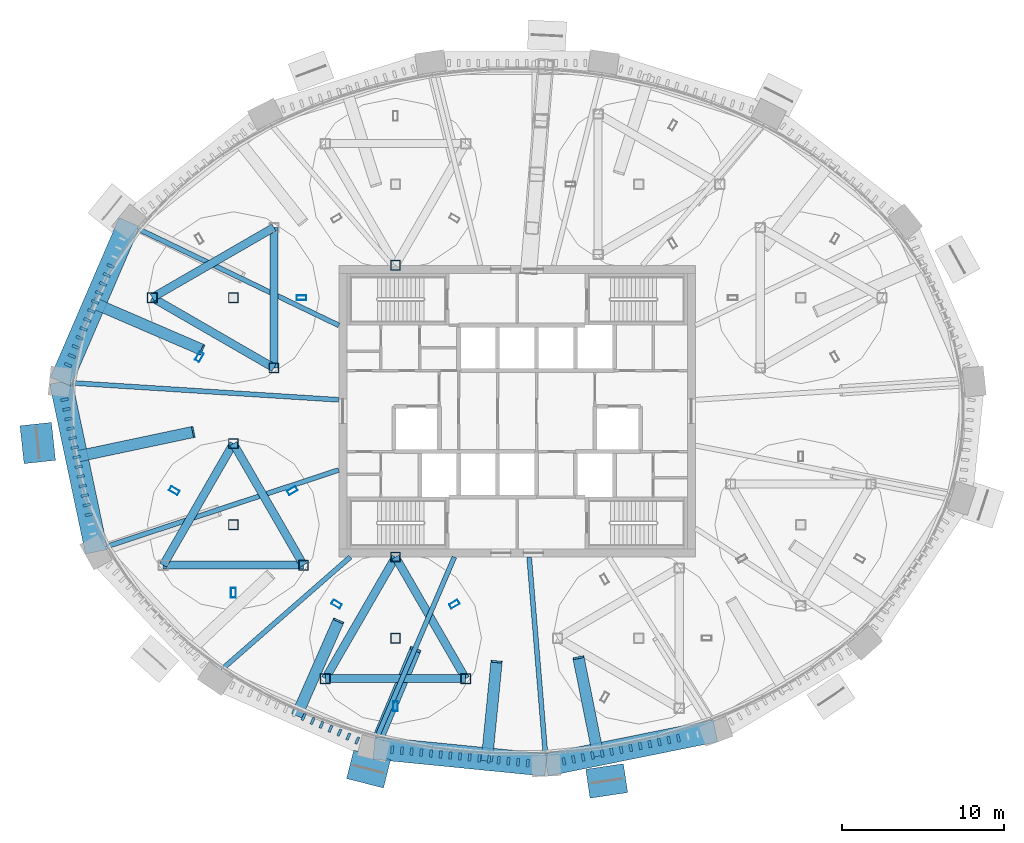
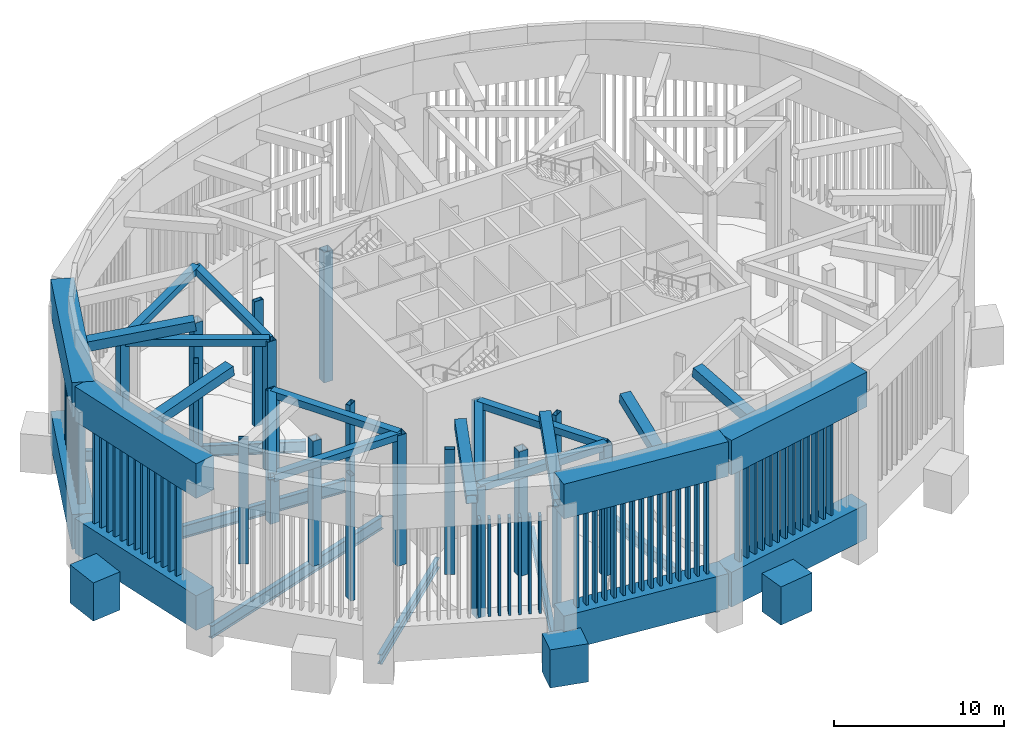
# One storey, part 2 of 14: 88 members, 23 beams.
"""IFC4 building model written with IfcOpenShell, lengths in metres."""

import ifcopenshell
import ifcopenshell.guid

model = None  # the IFC model being written
_history = None  # IfcOwnerHistory: only IFC2X3 demands one
_inside = {}  # id of a spatial element -> (the spatial element, [elements in it])
_under = {}  # id of a project, library or spatial element -> (it, [spatial elements below it])
_declared = {}  # id of a project -> (the project, [libraries it declares])
_typed = {}  # id of a type object -> (the type object, [elements of that type])
_made_of = {}  # id of a material, layer set ... -> (it, [elements and type objects made of it])


def new_model(schema):
    """Start an empty IFC model of exactly this schema.

    Asked for "IFC4X3", IfcOpenShell would pick the latest addendum, in which some entities
    have other attributes; the version numbers below select the first issue.
    IFC2X3 requires an IfcOwnerHistory on every rooted entity: one is made here for all.
    """
    global model, _history
    if schema == "IFC4X3":
        model = ifcopenshell.file(schema_version=(4, 3, 0, 0))
    else:
        model = ifcopenshell.file(schema=schema)
    _inside.clear()
    _under.clear()
    _declared.clear()
    _typed.clear()
    _made_of.clear()
    _history = None
    if model.schema == "IFC2X3":
        org = make("IfcOrganization", Name="unknown")
        user = make(
            "IfcPersonAndOrganization",
            ThePerson=make("IfcPerson", FamilyName="unknown"),
            TheOrganization=org,
        )
        app = make(
            "IfcApplication",
            ApplicationDeveloper=org,
            Version="unknown",
            ApplicationFullName="unknown",
            ApplicationIdentifier="unknown",
        )
        _history = make(
            "IfcOwnerHistory",
            OwningUser=user,
            OwningApplication=app,
            ChangeAction="ADDED",
            CreationDate=0,
        )
    return model


def make(cls, **values):
    """One entity of the class cls with the attributes given. An attribute that is None is left unset."""
    return model.create_entity(
        cls, **{name: value for name, value in values.items() if value is not None}
    )


def rooted(cls, **values):
    """An entity with a GlobalId (a new one), such as an element, a storey or a relation."""
    return make(cls, GlobalId=ifcopenshell.guid.new(), OwnerHistory=_history, **values)


def si_unit(unit_type, name, prefix=None):
    """IfcSIUnit, for example si_unit("LENGTHUNIT", "METRE", prefix="MILLI")."""
    return make("IfcSIUnit", UnitType=unit_type, Prefix=prefix, Name=name)


def assignment(units):
    """IfcUnitAssignment: the units of a project."""
    return None if units is None else make("IfcUnitAssignment", Units=units)


def point(xyz):
    """IfcCartesianPoint."""
    return None if xyz is None else make("IfcCartesianPoint", Coordinates=xyz)


def direction(xyz):
    """IfcDirection."""
    return None if xyz is None else make("IfcDirection", DirectionRatios=xyz)


def frame(location, z_axis=None, x_axis=None):
    """IfcAxis2Placement3D, a coordinate frame: its origin and axes. An axis left out is left unset."""
    return make(
        "IfcAxis2Placement3D",
        Location=point(location),
        Axis=direction(z_axis),
        RefDirection=direction(x_axis),
    )


def frame_2d(location, x_axis=None):
    """IfcAxis2Placement2D, a coordinate frame in the plane: its origin and x axis."""
    return make(
        "IfcAxis2Placement2D", Location=point(location), RefDirection=direction(x_axis)
    )


def origin():
    """The frame at (0, 0, 0) with its axes left unset."""
    return frame((0.0, 0.0, 0.0))


def origin_2d():
    """The frame at (0, 0) in the plane with its x axis left unset."""
    return frame_2d((0.0, 0.0))


def place(relative_to, where):
    """IfcLocalPlacement: puts the frame where relative to a parent placement (None: the world)."""
    return make(
        "IfcLocalPlacement", PlacementRelTo=relative_to, RelativePlacement=where
    )


def context(
    kind, dimensions, precision=None, world=None, true_north=None, identifier=None
):
    """IfcGeometricRepresentationContext, for example the 3D "Model" context."""
    return make(
        "IfcGeometricRepresentationContext",
        ContextIdentifier=identifier,
        ContextType=kind,
        CoordinateSpaceDimension=dimensions,
        Precision=precision,
        WorldCoordinateSystem=world,
        TrueNorth=true_north,
    )


def subcontext(parent, identifier, kind, view, scale=None):
    """IfcGeometricRepresentationSubContext, for example "Body" below "Model"."""
    return make(
        "IfcGeometricRepresentationSubContext",
        ContextIdentifier=identifier,
        ContextType=kind,
        ParentContext=parent,
        TargetScale=scale,
        TargetView=view,
    )


def project(units=None, contexts=None):
    """IfcProject with its units and contexts."""
    return rooted(
        "IfcProject",
        Name="project",
        RepresentationContexts=contexts,
        UnitsInContext=assignment(units),
    )


def spatial(cls, under=None, at=None, **own):
    """A site, building, storey or space (cls), placed at a placement, below another one or the project."""
    s = rooted(cls, ObjectPlacement=at, **own)
    if under is not None:
        _under.setdefault(under.id(), (under, []))[1].append(s)
    return s


def profile(cls, at=None, kind="AREA", **sizes):
    """A parametric profile (cls). Its sizes go by their IFC names, for example OverallWidth=200.0."""
    return make(cls, ProfileType=kind, Position=at, **sizes)


def rectangle(**sizes):
    """IfcRectangleProfileDef."""
    return profile("IfcRectangleProfileDef", **sizes)


def hollow_rectangle(**sizes):
    """IfcRectangleHollowProfileDef."""
    return profile("IfcRectangleHollowProfileDef", **sizes)


def i_section(**sizes):
    """IfcIShapeProfileDef."""
    return profile("IfcIShapeProfileDef", **sizes)


def extrude(swept, where, along, depth):
    """IfcExtrudedAreaSolid: the profile swept, set in the frame where, extruded along a direction by depth."""
    return make(
        "IfcExtrudedAreaSolid",
        SweptArea=swept,
        Position=where,
        ExtrudedDirection=direction(along),
        Depth=depth,
    )


def shape(context_of_items, identifier, shape_type, items):
    """IfcShapeRepresentation: the items that make up one representation, for example the "Body"."""
    return make(
        "IfcShapeRepresentation",
        ContextOfItems=context_of_items,
        RepresentationIdentifier=identifier,
        RepresentationType=shape_type,
        Items=items,
    )


def source(mapping_origin, context_of_items, identifier, shape_type, items):
    """IfcRepresentationMap: a shape defined once, which mapped items show again and again."""
    return make(
        "IfcRepresentationMap",
        MappingOrigin=mapping_origin,
        MappedRepresentation=shape(context_of_items, identifier, shape_type, items),
    )


def transform(
    local_origin,
    x_axis=None,
    y_axis=None,
    z_axis=None,
    scale=None,
    scale2=None,
    scale3=None,
    uniform=True,
):
    """IfcCartesianTransformationOperator3D, or its non-uniform kind. x_axis, y_axis, z_axis: its Axis1, 2, 3."""
    if uniform:
        return make(
            "IfcCartesianTransformationOperator3D",
            Axis1=direction(x_axis),
            Axis2=direction(y_axis),
            LocalOrigin=point(local_origin),
            Scale=scale,
            Axis3=direction(z_axis),
        )
    return make(
        "IfcCartesianTransformationOperator3DnonUniform",
        Axis1=direction(x_axis),
        Axis2=direction(y_axis),
        LocalOrigin=point(local_origin),
        Scale=scale,
        Axis3=direction(z_axis),
        Scale2=scale2,
        Scale3=scale3,
    )


def mapped(mapping_source, mapping_target):
    """IfcMappedItem: shows the shape of a source again, moved by a transform."""
    return make(
        "IfcMappedItem", MappingSource=mapping_source, MappingTarget=mapping_target
    )


def material(Name=None, Category=None):
    """IfcMaterial."""
    return make("IfcMaterial", Name=Name, Category=Category)


def material_profile(
    of_material, cross_section, Name=None, Category=None, Priority=None
):
    """IfcMaterialProfile: a cross section and its material."""
    return make(
        "IfcMaterialProfile",
        Name=Name,
        Material=of_material,
        Profile=cross_section,
        Priority=Priority,
        Category=Category,
    )


def profile_set(profiles, Name=None, composite=None):
    """IfcMaterialProfileSet."""
    return make(
        "IfcMaterialProfileSet",
        Name=Name,
        MaterialProfiles=profiles,
        CompositeProfile=composite,
    )


def made_of(thing, what):
    """Note that an element or type object is made of a material, layer set ...; save() writes the relation."""
    if what is not None:
        _made_of.setdefault(what.id(), (what, []))[1].append(thing)
    return thing


def type_object(cls, material=None, **own):
    """A type object (cls), such as IfcWallType, which elements share."""
    return made_of(rooted(cls, **own), material)


def element(
    cls,
    number,
    at=None,
    inside=None,
    cuts=None,
    type_object=None,
    material=None,
    context=None,
    identifier="Body",
    shape_type=None,
    held_by="IfcProductDefinitionShape",
    body=None,
    shapes=None,
    **own,
):
    """One element of the class cls, such as IfcWall. Its Tag is "e" and its number.

    at: its placement. inside: the storey or other place that contains it. cuts: it is an
    opening in that element (IfcRelVoidsElement). A single representation is given by context,
    identifier, shape_type and body (its items); several are given by shapes. held_by: the class
    of the entity that holds the representations. save() writes the other relations.
    """
    e = rooted(cls, Tag="e%d" % number, ObjectPlacement=at, **own)
    if body is not None:
        shapes = [shape(context, identifier, shape_type, body)]
    if shapes is not None:
        e.Representation = make(held_by, Representations=shapes)
    if inside is not None:
        _inside.setdefault(inside.id(), (inside, []))[1].append(e)
    if cuts is not None:
        rooted(
            "IfcRelVoidsElement", RelatingBuildingElement=cuts, RelatedOpeningElement=e
        )
    if type_object is not None:
        _typed.setdefault(type_object.id(), (type_object, []))[1].append(e)
    return made_of(e, material)


def aggregate(whole, parts):
    """IfcRelAggregates: a whole, such as a stair, and the parts it consists of."""
    return rooted("IfcRelAggregates", RelatingObject=whole, RelatedObjects=parts)


def save(model, path):
    """Write the relations noted so far, then the file.

    IfcRelAggregates (storeys below a building ...), IfcRelContainedInSpatialStructure (elements
    in a storey), IfcRelDefinesByType, IfcRelAssociatesMaterial and IfcRelDeclares: one each for
    every whole, place, type object, material and project.
    """
    for whole, parts in _under.values():
        aggregate(whole, parts)
    for where, things in _inside.values():
        rooted(
            "IfcRelContainedInSpatialStructure",
            RelatedElements=things,
            RelatingStructure=where,
        )
    for kind, things in _typed.values():
        rooted("IfcRelDefinesByType", RelatedObjects=things, RelatingType=kind)
    for what, things in _made_of.values():
        rooted("IfcRelAssociatesMaterial", RelatedObjects=things, RelatingMaterial=what)
    for by, libraries in _declared.values():
        rooted("IfcRelDeclares", RelatingContext=by, RelatedDefinitions=libraries)
    model.write(path)


model = new_model("IFC4")

# Units and contexts
model_context = context("Model", 3, precision=1e-05, world=origin(), true_north=direction((0.0, 1.0)))
body_context = subcontext(model_context, "Body", "Model", "MODEL_VIEW")
ifc_project = project(units=[si_unit("LENGTHUNIT", "METRE"), si_unit("AREAUNIT", "SQUARE_METRE"), si_unit("VOLUMEUNIT", "CUBIC_METRE"), si_unit("PLANEANGLEUNIT", "RADIAN"), si_unit("MASSUNIT", "GRAM", prefix="KILO")], contexts=[model_context])

# Site, building, storey
site_placement = place(None, origin())
site = spatial("IfcSite", under=ifc_project, at=site_placement, CompositionType="ELEMENT")
building_placement = place(site_placement, origin())
building = spatial("IfcBuilding", under=site, at=building_placement, Name="Embergate Tower", CompositionType="ELEMENT")
storey_placement = place(building_placement, frame((0.0, 0.0, 340.0)))
storey = spatial("IfcBuildingStorey", under=building, at=storey_placement, Name="L79", CompositionType="ELEMENT", Elevation=340.0)

# Beams
ifc_material_1 = material(Name="Steel Q355B", Category="steel")
ifc_material_profile_1 = material_profile(ifc_material_1, i_section(OverallWidth=0.300048828125, OverallDepth=0.89990234375, WebThickness=0.01611328125, FlangeThickness=0.028076171875, FilletRadius=0.028076171875, at=origin_2d()), Name="HN 900x300x16x28")
ifc_profile_set_1 = profile_set([ifc_material_profile_1], Name="Steel Q355 grade B")
beam_type_1 = type_object("IfcBeamType", Name="Plant girder HN 900x300x16x28", PredefinedType="BEAM", material=ifc_profile_set_1)
shared_shape_1 = source(origin(), body_context, "Body", "SweptSolid", [
    extrude(i_section(OverallWidth=0.300048828125, OverallDepth=0.89990234375, WebThickness=0.01611328125, FlangeThickness=0.028076171875, FilletRadius=0.028076171875, at=origin_2d()), origin(), (0.0, 0.0, 1.0), 16.58544921875),
])
beam_1_placement = place(storey_placement, frame((-27.552001953125, 1.7509765625, -0.75), z_axis=(0.997986328118, -0.063429400827, 0.0), x_axis=(0.063429400827, 0.997986328118, 0.0)))
element("IfcBeam", 1, at=beam_1_placement, inside=storey, type_object=beam_type_1, Name="GIR-L79-21", PredefinedType="BEAM", context=body_context, shape_type="MappedRepresentation", body=[
    mapped(shared_shape_1, transform((0.0, 0.0, 0.0))),
])
ifc_material_profile_2 = material_profile(ifc_material_1, i_section(OverallWidth=0.300048828125, OverallDepth=0.800048828125, WebThickness=0.013916015625, FlangeThickness=0.02587890625, FilletRadius=0.028076171875, at=origin_2d()), Name="HN 800x300x14x26")
ifc_profile_set_2 = profile_set([ifc_material_profile_2], Name="Steel Q355 grade B")
beam_type_2 = type_object("IfcBeamType", Name="Plant girder HN 800x300x14x26", PredefinedType="BEAM", material=ifc_profile_set_2)
shared_shape_2 = source(origin(), body_context, "Body", "SweptSolid", [
    extrude(i_section(OverallWidth=0.300048828125, OverallDepth=0.800048828125, WebThickness=0.013916015625, FlangeThickness=0.02587890625, FilletRadius=0.028076171875, at=origin_2d()), origin(), (0.0, 0.0, 1.0), 13.80419921875),
])
beam_2_placement = place(storey_placement, frame((-23.43994140625, 11.27587890625, -0.699951171875), z_axis=(0.901163418576, -0.433479518571, 0.0), x_axis=(0.433479518571, 0.901163418576, 0.0)))
element("IfcBeam", 2, at=beam_2_placement, inside=storey, type_object=beam_type_2, Name="GIR-L79-18", PredefinedType="BEAM", context=body_context, shape_type="MappedRepresentation", body=[
    mapped(shared_shape_2, transform((0.0, 0.0, 0.0))),
])
shared_shape_3 = source(origin(), body_context, "Body", "SweptSolid", [
    extrude(i_section(OverallWidth=0.300048828125, OverallDepth=0.89990234375, WebThickness=0.01611328125, FlangeThickness=0.028076171875, FilletRadius=0.028076171875, at=origin_2d()), origin(), (0.0, 0.0, 1.0), 15.17236328125),
])
beam_3_placement = place(storey_placement, frame((-25.408935546875, -8.3798828125, -0.75), z_axis=(0.949687388779, 0.313199399095, 0.0), x_axis=(-0.313199399095, 0.949687388779, 0.0)))
element("IfcBeam", 3, at=beam_3_placement, inside=storey, type_object=beam_type_1, Name="GIR-L79-24", PredefinedType="BEAM", context=body_context, shape_type="MappedRepresentation", body=[
    mapped(shared_shape_3, transform((0.0, 0.0, 0.0))),
])
ifc_material_profile_3 = material_profile(ifc_material_1, i_section(OverallWidth=0.300048828125, OverallDepth=0.699951171875, WebThickness=0.012939453125, FlangeThickness=0.02392578125, FilletRadius=0.01806640625, at=origin_2d()), Name="HN 700x300x13x24")
ifc_profile_set_3 = profile_set([ifc_material_profile_3], Name="Steel Q355 grade B")
beam_type_3 = type_object("IfcBeamType", Name="Plant girder HN 700x300x13x24", PredefinedType="BEAM", material=ifc_profile_set_3)
shared_shape_4 = source(origin(), body_context, "Body", "SweptSolid", [
    extrude(i_section(OverallWidth=0.300048828125, OverallDepth=0.699951171875, WebThickness=0.012939453125, FlangeThickness=0.02392578125, FilletRadius=0.01806640625, at=origin_2d()), origin(), (0.0, 0.0, 1.0), 10.5849609375),
])
beam_4_placement = place(storey_placement, frame((-18.259033203125, -15.968017578125, -0.64990234375), z_axis=(0.752763835671, 0.658290671137, 0.0), x_axis=(-0.658290671137, 0.752763835671, 0.0)))
element("IfcBeam", 4, at=beam_4_placement, inside=storey, type_object=beam_type_3, Name="GIR-L79-27", PredefinedType="BEAM", context=body_context, shape_type="MappedRepresentation", body=[
    mapped(shared_shape_4, transform((0.0, 0.0, 0.0))),
])
shared_shape_5 = source(origin(), body_context, "Body", "SweptSolid", [
    extrude(i_section(OverallWidth=0.300048828125, OverallDepth=0.800048828125, WebThickness=0.013916015625, FlangeThickness=0.02587890625, FilletRadius=0.028076171875, at=origin_2d()), origin(), (0.0, 0.0, 1.0), 12.18115234375),
])
beam_5_placement = place(storey_placement, frame((-8.678955078125, -20.19091796875, -0.699951171875), z_axis=(0.394954339192, 0.918700751035, 0.0), x_axis=(-0.918700751035, 0.394954339192, 0.0)))
element("IfcBeam", 5, at=beam_5_placement, inside=storey, type_object=beam_type_2, Name="GIR-L79-30", PredefinedType="BEAM", context=body_context, shape_type="MappedRepresentation", body=[
    mapped(shared_shape_5, transform((0.0, 0.0, 0.0))),
])
shared_shape_6 = source(origin(), body_context, "Body", "SweptSolid", [
    extrude(i_section(OverallWidth=0.300048828125, OverallDepth=0.800048828125, WebThickness=0.013916015625, FlangeThickness=0.02587890625, FilletRadius=0.028076171875, at=origin_2d()), origin(), (0.0, 0.0, 1.0), 12.264404296875),
])
beam_6_placement = place(storey_placement, frame((1.7529296875, -21.222900390625, -0.699951171875), z_axis=(-0.082272815158, 0.996609845369, 0.0), x_axis=(-0.996609845369, -0.082272815158, 0.0)))
element("IfcBeam", 6, at=beam_6_placement, inside=storey, type_object=beam_type_2, Name="GIR-L79-33", PredefinedType="BEAM", context=body_context, shape_type="MappedRepresentation", body=[
    mapped(shared_shape_6, transform((0.0, 0.0, 0.0))),
])

# Members
ifc_material_2 = material(Name="Concrete C70", Category="concrete")
ifc_material_profile_4 = material_profile(ifc_material_2, rectangle(XDim=1.800048828125, YDim=2.35009765625, at=origin_2d()), Name="RC 1800x2350")
ifc_profile_set_4 = profile_set([ifc_material_profile_4], Name="Concrete C70")
member_type_1 = type_object("IfcMemberType", Name="Lattice node block RC 1800x2350", PredefinedType="POST", material=ifc_profile_set_4)
shared_shape_7 = source(origin(), body_context, "Body", "SweptSolid", [
    extrude(rectangle(XDim=1.800048828125, YDim=2.35009765625, at=origin_2d()), origin(), (0.0, 0.0, 1.0), 2.75),
])
for number, where, z_axis, x_axis, name in (
    (7, (-9.159912109375, -22.0810546875, -1.375), (0.0, 0.0, 1.0), (-0.246491603437, -0.969144926951, 0.0), "NOD-L79-30"),
    (8, (5.528076171875, -22.80908203125, -1.375), (0.0, 0.0, 1.0), (0.146929011949, -0.989147039346, 0.0), "NOD-L79-34"),
):
    element("IfcMember", number, at=place(storey_placement, frame(where, z_axis=z_axis, x_axis=x_axis)), inside=storey, type_object=member_type_1, Name=name, PredefinedType="POST", context=body_context, shape_type="MappedRepresentation", body=[
        mapped(shared_shape_7, transform((0.0, 0.0, 0.0))),
    ])
ifc_material_profile_5 = material_profile(ifc_material_2, rectangle(XDim=1.949951171875, YDim=2.35009765625, at=origin_2d()), Name="RC 1950x2350")
ifc_profile_set_5 = profile_set([ifc_material_profile_5], Name="Concrete C70")
member_type_2 = type_object("IfcMemberType", Name="Lattice node block RC 1950x2350", PredefinedType="POST", material=ifc_profile_set_5)
shared_shape_8 = source(origin(), body_context, "Body", "SweptSolid", [
    extrude(rectangle(XDim=1.949951171875, YDim=2.35009765625, at=origin_2d()), origin(), (0.0, 0.0, 1.0), 2.75),
])
member_1_placement = place(storey_placement, frame((-29.56591796875, -1.966064453125, -1.375), z_axis=(0.0, 0.0, 1.0), x_axis=(-0.99428589498, -0.106749983816, 0.0)))
element("IfcMember", 9, at=member_1_placement, inside=storey, type_object=member_type_2, Name="NOD-L79-22", PredefinedType="POST", context=body_context, shape_type="MappedRepresentation", body=[
    mapped(shared_shape_8, transform((0.0, 0.0, 0.0))),
])
ifc_material_3 = material(Name="Steel Q355D", Category="steel")
ifc_material_profile_6 = material_profile(ifc_material_3, hollow_rectangle(XDim=0.699951171875, YDim=0.699951171875, WallThickness=0.031982421875, at=origin_2d()), Name="BOX 700x700x32")
ifc_profile_set_6 = profile_set([ifc_material_profile_6], Name="Steel Q355 grade D")
member_type_3 = type_object("IfcMemberType", Name="Glass point bearing strut BOX 700x700x32", PredefinedType="STRUT", material=ifc_profile_set_6)
shared_shape_9 = source(origin(), body_context, "Body", "SweptSolid", [
    extrude(hollow_rectangle(XDim=0.699951171875, YDim=0.699951171875, WallThickness=0.031982421875, at=origin_2d()), origin(), (0.0, 0.0, 1.0), 7.35302734375),
])
member_2_placement = place(storey_placement, frame((-26.10888671875, 6.6650390625, 10.89990234375), z_axis=(0.907905971424, -0.39156433298, 0.149613235344), x_axis=(0.396021716655, 0.918241144764, 0.0)))
element("IfcMember", 10, at=member_2_placement, inside=storey, type_object=member_type_3, Name="CRN-L79-BS10", PredefinedType="STRUT", context=body_context, shape_type="MappedRepresentation", body=[
    mapped(shared_shape_9, transform((0.0, 0.0, 0.0))),
])
shared_shape_10 = source(origin(), body_context, "Body", "SweptSolid", [
    extrude(hollow_rectangle(XDim=0.699951171875, YDim=0.699951171875, WallThickness=0.031982421875, at=origin_2d()), origin(), (0.0, 0.0, 1.0), 7.4892578125),
])
member_3_placement = place(storey_placement, frame((-27.219970703125, -2.81298828125, 10.89990234375), z_axis=(0.967797633021, 0.204428016595, 0.146890869523), x_axis=(-0.2066698253, 0.978410743661, 0.0)))
element("IfcMember", 11, at=member_3_placement, inside=storey, type_object=member_type_3, Name="CRN-L79-BS11", PredefinedType="STRUT", context=body_context, shape_type="MappedRepresentation", body=[
    mapped(shared_shape_10, transform((0.0, 0.0, 0.0))),
])
shared_shape_11 = source(origin(), body_context, "Body", "SweptSolid", [
    extrude(hollow_rectangle(XDim=0.699951171875, YDim=0.699951171875, WallThickness=0.031982421875, at=origin_2d()), origin(), (0.0, 0.0, 1.0), 6.42919921875),
])
member_4_placement = place(storey_placement, frame((-13.572998046875, -18.73291015625, 10.89990234375), z_axis=(0.397543446256, 0.901488338343, 0.17110810668), x_axis=(-0.914982258803, 0.403494071921, 0.0)))
element("IfcMember", 12, at=member_4_placement, inside=storey, type_object=member_type_3, Name="CRN-L79-BS14", PredefinedType="STRUT", context=body_context, shape_type="MappedRepresentation", body=[
    mapped(shared_shape_11, transform((0.0, 0.0, 0.0))),
])
shared_shape_12 = source(origin(), body_context, "Body", "SweptSolid", [
    extrude(hollow_rectangle(XDim=0.699951171875, YDim=0.699951171875, WallThickness=0.031982421875, at=origin_2d()), origin(), (0.0, 0.0, 1.0), 6.858154296875),
])
member_5_placement = place(storey_placement, frame((-8.839111328125, -20.821044921875, 10.25), z_axis=(0.374320833198, 0.891499441348, 0.255171824286), x_axis=(-0.922022323293, 0.387136714029, 0.0)))
element("IfcMember", 13, at=member_5_placement, inside=storey, type_object=member_type_3, Name="CRN-L79-BS15", PredefinedType="STRUT", context=body_context, shape_type="MappedRepresentation", body=[
    mapped(shared_shape_12, transform((0.0, 0.0, 0.0))),
])
shared_shape_13 = source(origin(), body_context, "Body", "SweptSolid", [
    extrude(hollow_rectangle(XDim=0.699951171875, YDim=0.699951171875, WallThickness=0.031982421875, at=origin_2d()), origin(), (0.0, 0.0, 1.0), 6.186279296875),
])
member_6_placement = place(storey_placement, frame((-1.864990234375, -21.510986328125, 10.89990234375), z_axis=(0.096807977631, 0.97928787482, 0.177829901021), x_axis=(-0.995149319865, 0.098375968471, 0.0)))
element("IfcMember", 14, at=member_6_placement, inside=storey, type_object=member_type_3, Name="CRN-L79-BS16", PredefinedType="STRUT", context=body_context, shape_type="MappedRepresentation", body=[
    mapped(shared_shape_13, transform((0.0, 0.0, 0.0))),
])
shared_shape_14 = source(origin(), body_context, "Body", "SweptSolid", [
    extrude(hollow_rectangle(XDim=0.699951171875, YDim=0.699951171875, WallThickness=0.031982421875, at=origin_2d()), origin(), (0.0, 0.0, 1.0), 6.236083984375),
])
member_7_placement = place(storey_placement, frame((5.001953125, -21.221923828125, 10.89990234375), z_axis=(-0.194809382684, 0.964846711466, 0.176408978773), x_axis=(-0.98021953642, -0.197913264891, 0.0)))
element("IfcMember", 15, at=member_7_placement, inside=storey, type_object=member_type_3, Name="CRN-L79-BS17", PredefinedType="STRUT", context=body_context, shape_type="MappedRepresentation", body=[
    mapped(shared_shape_14, transform((0.0, 0.0, 0.0))),
])
ifc_material_profile_7 = material_profile(ifc_material_3, hollow_rectangle(XDim=0.60009765625, YDim=0.60009765625, WallThickness=0.028076171875, at=origin_2d()), Name="BOX 600x600x28")
ifc_profile_set_7 = profile_set([ifc_material_profile_7], Name="Steel Q355 grade D")
member_type_4 = type_object("IfcMemberType", Name="Turbine frame post BOX 600x600x28", PredefinedType="POST", material=ifc_profile_set_7)
shared_shape_15 = source(origin(), body_context, "Body", "SweptSolid", [
    extrude(hollow_rectangle(XDim=0.60009765625, YDim=0.60009765625, WallThickness=0.028076171875, at=origin_2d()), origin(), (0.0, 0.0, 1.0), 9.39990234375),
])
for number, where, z_axis, x_axis, name in (
    (16, (-22.5, 7.0, 0.60009765625), (0.0, 0.0, 1.0), (1.0, 0.0, 0.0), "TUR-L79-PS031"),
    (17, (-15.0, 2.669921875, 0.60009765625), (0.0, 0.0, 1.0), (1.0, 0.0, 0.0), "TUR-L79-PS032"),
    (18, (-13.169921875, -9.5, 0.60009765625), (0.0, 0.0, 1.0), (1.0, 0.0, 0.0), "TUR-L79-PS042"),
    (19, (-17.5, -2.0, 0.60009765625), (0.0, 0.0, 1.0), (1.0, 0.0, 0.0), "TUR-L79-PS043"),
    (20, (-7.5, 9.0, 0.60009765625), (0.0, 0.0, 1.0), (1.0, 0.0, 0.0), "TUR-L79-PS061"),
    (21, (-3.169921875, -16.5, 0.60009765625), (0.0, 0.0, 1.0), (1.0, 0.0, 0.0), "TUR-L79-PS081"),
    (22, (-7.5, -9.0, 0.60009765625), (0.0, 0.0, 1.0), (1.0, 0.0, 0.0), "TUR-L79-PS082"),
    (23, (-11.830078125, -16.5, 0.60009765625), (0.0, 0.0, 1.0), (1.0, 0.0, 0.0), "TUR-L79-PS083"),
):
    element("IfcMember", number, at=place(storey_placement, frame(where, z_axis=z_axis, x_axis=x_axis)), inside=storey, type_object=member_type_4, Name=name, PredefinedType="POST", context=body_context, shape_type="MappedRepresentation", body=[
        mapped(shared_shape_15, transform((0.0, 0.0, 0.0))),
    ])

# Beams
ifc_material_profile_8 = material_profile(ifc_material_3, hollow_rectangle(XDim=0.5, YDim=0.5, WallThickness=0.02490234375, at=origin_2d()), Name="BOX 500x500x25")
ifc_profile_set_8 = profile_set([ifc_material_profile_8], Name="Steel Q355 grade D")
beam_type_4 = type_object("IfcBeamType", Name="Turbine frame head beam BOX 500x500x25", PredefinedType="BEAM", material=ifc_profile_set_8)
shared_shape_16 = source(origin(), body_context, "Body", "SweptSolid", [
    extrude(hollow_rectangle(XDim=0.5, YDim=0.5, WallThickness=0.02490234375, at=origin_2d()), origin(), (0.0, 0.0, 1.0), 8.66015625),
])
for number, where, z_axis, x_axis, name in (
    (24, (-22.5, 7.0, 9.85009765625), (0.866027848477, -0.499995765644, 0.0), (0.499995765644, 0.866027848477, 0.0), "TUR-L79-HB031"),
    (25, (-15.0, 2.669921875, 9.85009765625), (0.0, 1.0, 0.0), (-1.0, 0.0, 0.0), "TUR-L79-HB032"),
    (26, (-15.0, 11.330078125, 9.85009765625), (-0.866027848477, -0.499995765644, 0.0), (0.499995765644, -0.866027848477, 0.0), "TUR-L79-HB033"),
    (27, (-21.830078125, -9.5, 9.85009765625), (1.0, 0.0, 0.0), (0.0, 1.0, 0.0), "TUR-L79-HB041"),
    (28, (-13.169921875, -9.5, 9.85009765625), (-0.499995765644, 0.866027848477, 0.0), (-0.866027848477, -0.499995765644, 0.0), "TUR-L79-HB042"),
    (29, (-17.5, -2.0, 9.85009765625), (-0.499995765644, -0.866027848477, 0.0), (0.866027848477, -0.499995765644, 0.0), "TUR-L79-HB043"),
    (30, (-3.169921875, -16.5, 9.85009765625), (-0.499995765644, 0.866027848477, 0.0), (-0.866027848477, -0.499995765644, 0.0), "TUR-L79-HB081"),
    (31, (-7.5, -9.0, 9.85009765625), (-0.499995765644, -0.866027848477, 0.0), (0.866027848477, -0.499995765644, 0.0), "TUR-L79-HB082"),
    (32, (-11.830078125, -16.5, 9.85009765625), (1.0, 0.0, 0.0), (0.0, 1.0, 0.0), "TUR-L79-HB083"),
):
    element("IfcBeam", number, at=place(storey_placement, frame(where, z_axis=z_axis, x_axis=x_axis)), inside=storey, type_object=beam_type_4, Name=name, PredefinedType="BEAM", context=body_context, shape_type="MappedRepresentation", body=[
        mapped(shared_shape_16, transform((0.0, 0.0, 0.0))),
    ])

# Members
ifc_material_profile_9 = material_profile(ifc_material_3, hollow_rectangle(XDim=0.60009765625, YDim=0.60009765625, WallThickness=0.028076171875, at=origin_2d()), Name="BOX 600x600x28")
ifc_profile_set_9 = profile_set([ifc_material_profile_9], Name="Steel Q355 grade D")
member_type_5 = type_object("IfcMemberType", Name="Turbine rotor shaft BOX 600x600x28", PredefinedType="POST", material=ifc_profile_set_9)
shared_shape_17 = source(origin(), body_context, "Body", "SweptSolid", [
    extrude(hollow_rectangle(XDim=0.60009765625, YDim=0.60009765625, WallThickness=0.028076171875, at=origin_2d()), origin(), (0.0, 0.0, 1.0), 9.0),
])
for number, where, z_axis, x_axis, name in (
    (33, (-17.5, 7.0, 0.60009765625), (0.0, 0.0, 1.0), (1.0, 0.0, 0.0), "TUR-L79-SH03"),
    (34, (-17.5, -7.0, 0.60009765625), (0.0, 0.0, 1.0), (1.0, 0.0, 0.0), "TUR-L79-SH04"),
    (35, (-7.5, -14.0, 0.60009765625), (0.0, 0.0, 1.0), (1.0, 0.0, 0.0), "TUR-L79-SH08"),
):
    element("IfcMember", number, at=place(storey_placement, frame(where, z_axis=z_axis, x_axis=x_axis)), inside=storey, type_object=member_type_5, Name=name, PredefinedType="POST", context=body_context, shape_type="MappedRepresentation", body=[
        mapped(shared_shape_17, transform((0.0, 0.0, 0.0))),
    ])
ifc_material_profile_10 = material_profile(ifc_material_3, hollow_rectangle(XDim=0.300048828125, YDim=0.60009765625, WallThickness=0.01611328125, at=origin_2d()), Name="BOX 600x300x16")
ifc_profile_set_10 = profile_set([ifc_material_profile_10], Name="Steel Q355 grade D")
member_type_6 = type_object("IfcMemberType", Name="Turbine rotor blade BOX 600x300x16", PredefinedType="POST", material=ifc_profile_set_10)
shared_shape_18 = source(origin(), body_context, "Body", "SweptSolid", [
    extrude(hollow_rectangle(XDim=0.300048828125, YDim=0.60009765625, WallThickness=0.01611328125, at=origin_2d()), origin(), (0.0, 0.0, 1.0), 9.0),
])
for number, where, z_axis, x_axis, name in (
    (36, (-19.60009765625, 3.363037109375, 0.60009765625), (0.0, 0.0, 1.0), (0.866025403784, -0.5, 0.0), "TUR-L79-BL032"),
    (37, (-13.300048828125, 7.0, 0.60009765625), (0.0, 0.0, 1.0), (0.0, 1.0, 0.0), "TUR-L79-BL033"),
    (38, (-21.136962890625, -4.89990234375, 0.60009765625), (0.0, 0.0, 1.0), (-0.5, -0.866025403784, 0.0), "TUR-L79-BL041"),
    (39, (-17.5, -11.199951171875, 0.60009765625), (0.0, 0.0, 1.0), (1.0, 0.0, 0.0), "TUR-L79-BL042"),
    (40, (-13.863037109375, -4.89990234375, 0.60009765625), (0.0, 0.0, 1.0), (-0.5, 0.866025403784, 0.0), "TUR-L79-BL043"),
    (41, (-7.5, -18.199951171875, 0.60009765625), (0.0, 0.0, 1.0), (1.0, 0.0, 0.0), "TUR-L79-BL081"),
    (42, (-3.863037109375, -11.89990234375, 0.60009765625), (0.0, 0.0, 1.0), (-0.5, 0.866025403784, 0.0), "TUR-L79-BL082"),
    (43, (-11.136962890625, -11.89990234375, 0.60009765625), (0.0, 0.0, 1.0), (-0.5, -0.866025403784, 0.0), "TUR-L79-BL083"),
):
    element("IfcMember", number, at=place(storey_placement, frame(where, z_axis=z_axis, x_axis=x_axis)), inside=storey, type_object=member_type_6, Name=name, PredefinedType="POST", context=body_context, shape_type="MappedRepresentation", body=[
        mapped(shared_shape_18, transform((0.0, 0.0, 0.0))),
    ])

# Beams
ifc_material_4 = material(Name="Concrete C50", Category="concrete")
ifc_material_profile_11 = material_profile(ifc_material_4, rectangle(XDim=1.39990234375, YDim=2.5, at=origin_2d()), Name="RC 1400x2500")
ifc_profile_set_11 = profile_set([ifc_material_profile_11], Name="Concrete C50")
beam_type_5 = type_object("IfcBeamType", Name="Slot ring beam RC 1400x2500", PredefinedType="BEAM", material=ifc_profile_set_11)
shared_shape_19 = source(origin(), body_context, "Body", "SweptSolid", [
    extrude(rectangle(XDim=1.39990234375, YDim=2.5, at=origin_2d()), origin(), (0.0, 0.0, 1.0), 10.717041015625),
])
for number, where, z_axis, x_axis, name in (
    (44, (-23.905029296875, 11.655029296875, 1.25), (-0.395991311102, -0.918254257563, 0.0), (0.918254257563, -0.395991311102, 0.0), "RNG-L79-LO18"),
    (45, (-23.905029296875, 11.655029296875, 10.75), (-0.395991311102, -0.918254257563, 0.0), (0.918254257563, -0.395991311102, 0.0), "RNG-L79-UP18"),
):
    element("IfcBeam", number, at=place(storey_placement, frame(where, z_axis=z_axis, x_axis=x_axis)), inside=storey, type_object=beam_type_5, Name=name, PredefinedType="BEAM", context=body_context, shape_type="MappedRepresentation", body=[
        mapped(shared_shape_19, transform((0.0, 0.0, 0.0))),
    ])
shared_shape_20 = source(origin(), body_context, "Body", "SweptSolid", [
    extrude(rectangle(XDim=1.39990234375, YDim=2.5, at=origin_2d()), origin(), (0.0, 0.0, 1.0), 10.717529296875),
])
for number, where, z_axis, x_axis, name in (
    (46, (-28.14892578125, 1.81396484375, 1.25), (0.206745161979, -0.978394827254, 0.0), (0.978394827254, 0.206745161979, 0.0), "RNG-L79-LO21"),
    (47, (-28.14892578125, 1.81396484375, 10.75), (0.206745161979, -0.978394827254, 0.0), (0.978394827254, 0.206745161979, 0.0), "RNG-L79-UP21"),
):
    element("IfcBeam", number, at=place(storey_placement, frame(where, z_axis=z_axis, x_axis=x_axis)), inside=storey, type_object=beam_type_5, Name=name, PredefinedType="BEAM", context=body_context, shape_type="MappedRepresentation", body=[
        mapped(shared_shape_20, transform((0.0, 0.0, 0.0))),
    ])
shared_shape_21 = source(origin(), body_context, "Body", "SweptSolid", [
    extrude(rectangle(XDim=1.39990234375, YDim=2.5, at=origin_2d()), origin(), (0.0, 0.0, 1.0), 10.66064453125),
])
for number, where, z_axis, x_axis, name in (
    (48, (-8.826904296875, -20.77197265625, 1.25), (0.995137354355, -0.098496933794, 0.0), (0.098496933794, 0.995137354355, 0.0), "RNG-L79-LO30"),
    (49, (-8.826904296875, -20.77197265625, 10.75), (0.995137354355, -0.098496933794, 0.0), (0.098496933794, 0.995137354355, 0.0), "RNG-L79-UP30"),
):
    element("IfcBeam", number, at=place(storey_placement, frame(where, z_axis=z_axis, x_axis=x_axis)), inside=storey, type_object=beam_type_5, Name=name, PredefinedType="BEAM", context=body_context, shape_type="MappedRepresentation", body=[
        mapped(shared_shape_21, transform((0.0, 0.0, 0.0))),
    ])
shared_shape_22 = source(origin(), body_context, "Body", "SweptSolid", [
    extrude(rectangle(XDim=1.39990234375, YDim=2.5, at=origin_2d()), origin(), (0.0, 0.0, 1.0), 10.6640625),
])
for number, where, z_axis, x_axis, name in (
    (50, (1.781982421875, -21.822021484375, 1.25), (0.980210002276, 0.197960479486, 0.0), (-0.197960479486, 0.980210002276, 0.0), "RNG-L79-LO33"),
    (51, (1.781982421875, -21.822021484375, 10.75), (0.980210002276, 0.197960479486, 0.0), (-0.197960479486, 0.980210002276, 0.0), "RNG-L79-UP33"),
):
    element("IfcBeam", number, at=place(storey_placement, frame(where, z_axis=z_axis, x_axis=x_axis)), inside=storey, type_object=beam_type_5, Name=name, PredefinedType="BEAM", context=body_context, shape_type="MappedRepresentation", body=[
        mapped(shared_shape_22, transform((0.0, 0.0, 0.0))),
    ])

# Members
ifc_material_5 = material(Name="Terracotta, extruded and glazed", Category="masonry")
ifc_material_profile_12 = material_profile(ifc_material_5, rectangle(XDim=0.449951171875, YDim=0.159912109375, at=origin_2d()), Name="TC 450x160")
ifc_profile_set_12 = profile_set([ifc_material_profile_12], Name="Terracotta, extruded and glazed")
member_type_7 = type_object("IfcMemberType", Name="Terracotta slot fin", PredefinedType="USERDEFINED", material=ifc_profile_set_12)
shared_shape_23 = source(origin(), body_context, "Body", "SweptSolid", [
    extrude(rectangle(XDim=0.449951171875, YDim=0.159912109375, at=origin_2d()), origin(), (0.0, 0.0, 1.0), 7.00390625),
])
for number, where, z_axis, x_axis, name in (
    (52, (-25.070068359375, 8.953369140625, 2.498046875), (0.0, 0.0, 1.0), (0.918249515944, -0.396002306141, 0.0), "Slot fin 19.4"),
    (53, (-25.309326171875, 8.398681640625, 2.498046875), (0.0, 0.0, 1.0), (0.918249515944, -0.396002306141, 0.0), "Slot fin 19.5"),
    (54, (-25.548583984375, 7.843994140625, 2.498046875), (0.0, 0.0, 1.0), (0.918249515944, -0.396002306141, 0.0), "Slot fin 19.6"),
    (55, (-25.787841796875, 7.289306640625, 2.498046875), (0.0, 0.0, 1.0), (0.918249515944, -0.396002306141, 0.0), "Slot fin 19.7"),
    (56, (-26.027099609375, 6.734619140625, 2.498046875), (0.0, 0.0, 1.0), (0.918249515944, -0.396002306141, 0.0), "Slot fin 19.8"),
    (57, (-26.26611328125, 6.1796875, 2.498046875), (0.0, 0.0, 1.0), (0.918249515944, -0.396002306141, 0.0), "Slot fin 19.9"),
    (58, (-26.50537109375, 5.625, 2.498046875), (0.0, 0.0, 1.0), (0.918249515944, -0.396002306141, 0.0), "Slot fin 19.10"),
    (59, (-26.74462890625, 5.0703125, 2.498046875), (0.0, 0.0, 1.0), (0.918249515944, -0.396002306141, 0.0), "Slot fin 19.11"),
    (60, (-26.98388671875, 4.515625, 2.498046875), (0.0, 0.0, 1.0), (0.918249515944, -0.396002306141, 0.0), "Slot fin 19.12"),
    (61, (-27.22314453125, 3.9609375, 2.498046875), (0.0, 0.0, 1.0), (0.918249515944, -0.396002306141, 0.0), "Slot fin 19.13"),
    (62, (-27.46240234375, 3.40625, 2.498046875), (0.0, 0.0, 1.0), (0.918249515944, -0.396002306141, 0.0), "Slot fin 19.14"),
    (63, (-27.701416015625, 2.8515625, 2.498046875), (0.0, 0.0, 1.0), (0.918249515944, -0.396002306141, 0.0), "Slot fin 19.15"),
    (64, (-27.915283203125, 0.70849609375, 2.498046875), (0.0, 0.0, 1.0), (0.978391140344, 0.20676260904, 0.0), "Slot fin 22.1"),
    (65, (-27.790283203125, 0.117431640625, 2.498046875), (0.0, 0.0, 1.0), (0.978391140344, 0.20676260904, 0.0), "Slot fin 22.2"),
    (66, (-27.66552734375, -0.4736328125, 2.498046875), (0.0, 0.0, 1.0), (0.978391140344, 0.20676260904, 0.0), "Slot fin 22.3"),
    (67, (-27.54052734375, -1.064697265625, 2.498046875), (0.0, 0.0, 1.0), (0.978391140344, 0.20676260904, 0.0), "Slot fin 22.4"),
    (68, (-27.415771484375, -1.65576171875, 2.498046875), (0.0, 0.0, 1.0), (0.978391140344, 0.20676260904, 0.0), "Slot fin 22.5"),
    (69, (-27.290771484375, -2.246826171875, 2.498046875), (0.0, 0.0, 1.0), (0.978391140344, 0.20676260904, 0.0), "Slot fin 22.6"),
    (70, (-27.166015625, -2.837890625, 2.498046875), (0.0, 0.0, 1.0), (0.978391140344, 0.20676260904, 0.0), "Slot fin 22.7"),
    (71, (-27.041015625, -3.428955078125, 2.498046875), (0.0, 0.0, 1.0), (0.978391140344, 0.20676260904, 0.0), "Slot fin 22.8"),
    (72, (-26.916015625, -4.02001953125, 2.498046875), (0.0, 0.0, 1.0), (0.978391140344, 0.20676260904, 0.0), "Slot fin 22.9"),
    (73, (-26.791259765625, -4.611083984375, 2.498046875), (0.0, 0.0, 1.0), (0.978391140344, 0.20676260904, 0.0), "Slot fin 22.10"),
    (74, (-26.666259765625, -5.2021484375, 2.498046875), (0.0, 0.0, 1.0), (0.978391140344, 0.20676260904, 0.0), "Slot fin 22.11"),
    (75, (-26.54150390625, -5.793212890625, 2.498046875), (0.0, 0.0, 1.0), (0.978391140344, 0.20676260904, 0.0), "Slot fin 22.12"),
    (76, (-26.41650390625, -6.38427734375, 2.498046875), (0.0, 0.0, 1.0), (0.978391140344, 0.20676260904, 0.0), "Slot fin 22.13"),
    (77, (-13.160888671875, -18.861083984375, 2.498046875), (0.0, 0.0, 1.0), (0.403451076767, 0.915001217844, 0.0), "Slot fin 28.9"),
    (78, (-12.611083984375, -19.103515625, 2.498046875), (0.0, 0.0, 1.0), (0.403451076767, 0.915001217844, 0.0), "Slot fin 28.10"),
    (79, (-12.06103515625, -19.345947265625, 2.498046875), (0.0, 0.0, 1.0), (0.403451076767, 0.915001217844, 0.0), "Slot fin 28.11"),
    (80, (-11.510986328125, -19.588623046875, 2.498046875), (0.0, 0.0, 1.0), (0.403451076767, 0.915001217844, 0.0), "Slot fin 28.12"),
    (81, (-10.9609375, -19.8310546875, 2.498046875), (0.0, 0.0, 1.0), (0.403451076767, 0.915001217844, 0.0), "Slot fin 28.13"),
    (82, (-10.410888671875, -20.073486328125, 2.498046875), (0.0, 0.0, 1.0), (0.403451076767, 0.915001217844, 0.0), "Slot fin 28.14"),
    (83, (-9.861083984375, -20.316162109375, 2.498046875), (0.0, 0.0, 1.0), (0.403451076767, 0.915001217844, 0.0), "Slot fin 28.15"),
    (84, (-7.702392578125, -20.88330078125, 2.498046875), (0.0, 0.0, 1.0), (0.098491309714, 0.995137911001, 0.0), "Slot fin 31.1"),
    (85, (-7.10546875, -20.9423828125, 2.498046875), (0.0, 0.0, 1.0), (0.098491309714, 0.995137911001, 0.0), "Slot fin 31.2"),
    (86, (-6.50830078125, -21.00146484375, 2.498046875), (0.0, 0.0, 1.0), (0.098491309714, 0.995137911001, 0.0), "Slot fin 31.3"),
    (87, (-5.9111328125, -21.060546875, 2.498046875), (0.0, 0.0, 1.0), (0.098491309714, 0.995137911001, 0.0), "Slot fin 31.4"),
    (88, (-5.31396484375, -21.11962890625, 2.498046875), (0.0, 0.0, 1.0), (0.098491309714, 0.995137911001, 0.0), "Slot fin 31.5"),
    (89, (-4.716796875, -21.1787109375, 2.498046875), (0.0, 0.0, 1.0), (0.098491309714, 0.995137911001, 0.0), "Slot fin 31.6"),
    (90, (-4.11962890625, -21.23779296875, 2.498046875), (0.0, 0.0, 1.0), (0.098491309714, 0.995137911001, 0.0), "Slot fin 31.7"),
    (91, (-3.5224609375, -21.297119140625, 2.498046875), (0.0, 0.0, 1.0), (0.098491309714, 0.995137911001, 0.0), "Slot fin 31.8"),
    (92, (-2.92529296875, -21.356201171875, 2.498046875), (0.0, 0.0, 1.0), (0.098491309714, 0.995137911001, 0.0), "Slot fin 31.9"),
    (93, (-2.328125, -21.415283203125, 2.498046875), (0.0, 0.0, 1.0), (0.098491309714, 0.995137911001, 0.0), "Slot fin 31.10"),
    (94, (-1.731201171875, -21.474365234375, 2.498046875), (0.0, 0.0, 1.0), (0.098491309714, 0.995137911001, 0.0), "Slot fin 31.11"),
    (95, (-1.1337890625, -21.533447265625, 2.498046875), (0.0, 0.0, 1.0), (0.098491309714, 0.995137911001, 0.0), "Slot fin 31.12"),
    (96, (-0.536865234375, -21.592529296875, 2.498046875), (0.0, 0.0, 1.0), (0.098491309714, 0.995137911001, 0.0), "Slot fin 31.13"),
    (97, (0.060302734375, -21.651611328125, 2.498046875), (0.0, 0.0, 1.0), (0.098491309714, 0.995137911001, 0.0), "Slot fin 31.14"),
    (98, (0.657470703125, -21.710693359375, 2.498046875), (0.0, 0.0, 1.0), (0.098491309714, 0.995137911001, 0.0), "Slot fin 31.15"),
    (99, (2.8896484375, -21.598388671875, 2.498046875), (0.0, 0.0, 1.0), (-0.197955027156, 0.980211103397, 0.0), "Slot fin 34.1"),
    (100, (3.47802734375, -21.4794921875, 2.498046875), (0.0, 0.0, 1.0), (-0.197955027156, 0.980211103397, 0.0), "Slot fin 34.2"),
    (101, (4.06640625, -21.360595703125, 2.498046875), (0.0, 0.0, 1.0), (-0.197955027156, 0.980211103397, 0.0), "Slot fin 34.3"),
    (102, (4.65478515625, -21.24169921875, 2.498046875), (0.0, 0.0, 1.0), (-0.197955027156, 0.980211103397, 0.0), "Slot fin 34.4"),
    (103, (5.243408203125, -21.123046875, 2.498046875), (0.0, 0.0, 1.0), (-0.197955027156, 0.980211103397, 0.0), "Slot fin 34.5"),
    (104, (5.831787109375, -21.004150390625, 2.498046875), (0.0, 0.0, 1.0), (-0.197955027156, 0.980211103397, 0.0), "Slot fin 34.6"),
    (105, (6.420166015625, -20.88525390625, 2.498046875), (0.0, 0.0, 1.0), (-0.197955027156, 0.980211103397, 0.0), "Slot fin 34.7"),
    (106, (7.008544921875, -20.7666015625, 2.498046875), (0.0, 0.0, 1.0), (-0.197955027156, 0.980211103397, 0.0), "Slot fin 34.8"),
    (107, (7.596923828125, -20.647705078125, 2.498046875), (0.0, 0.0, 1.0), (-0.197955027156, 0.980211103397, 0.0), "Slot fin 34.9"),
    (108, (8.185302734375, -20.52880859375, 2.498046875), (0.0, 0.0, 1.0), (-0.197955027156, 0.980211103397, 0.0), "Slot fin 34.10"),
    (109, (8.773681640625, -20.409912109375, 2.498046875), (0.0, 0.0, 1.0), (-0.197955027156, 0.980211103397, 0.0), "Slot fin 34.11"),
    (110, (9.362060546875, -20.291259765625, 2.498046875), (0.0, 0.0, 1.0), (-0.197955027156, 0.980211103397, 0.0), "Slot fin 34.12"),
    (111, (9.950439453125, -20.17236328125, 2.498046875), (0.0, 0.0, 1.0), (-0.197955027156, 0.980211103397, 0.0), "Slot fin 34.13"),
):
    element("IfcMember", number, at=place(storey_placement, frame(where, z_axis=z_axis, x_axis=x_axis)), inside=storey, type_object=member_type_7, Name=name, ObjectType="FIN", PredefinedType="USERDEFINED", context=body_context, shape_type="MappedRepresentation", body=[
        mapped(shared_shape_23, transform((0.0, 0.0, 0.0))),
    ])

save(model, "model.ifc")
